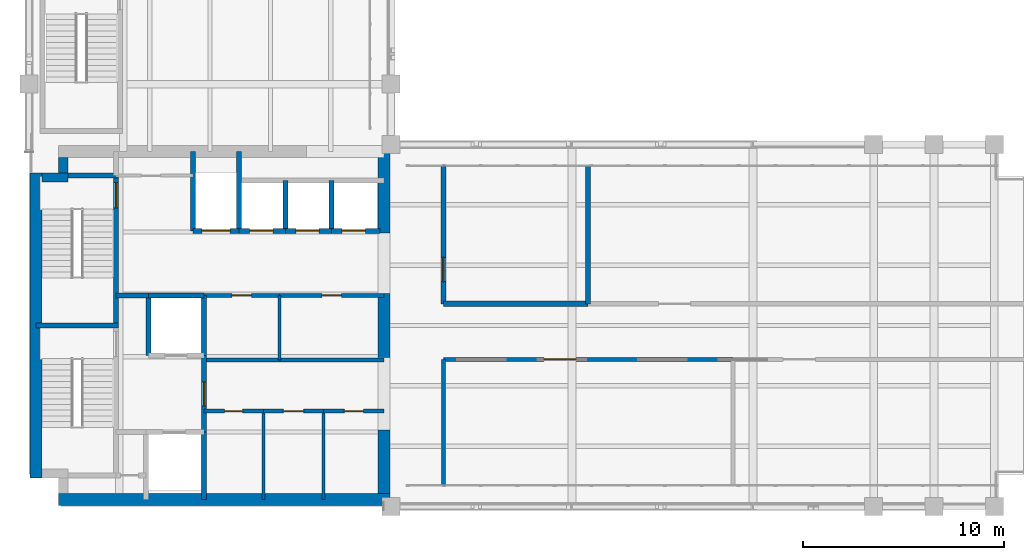
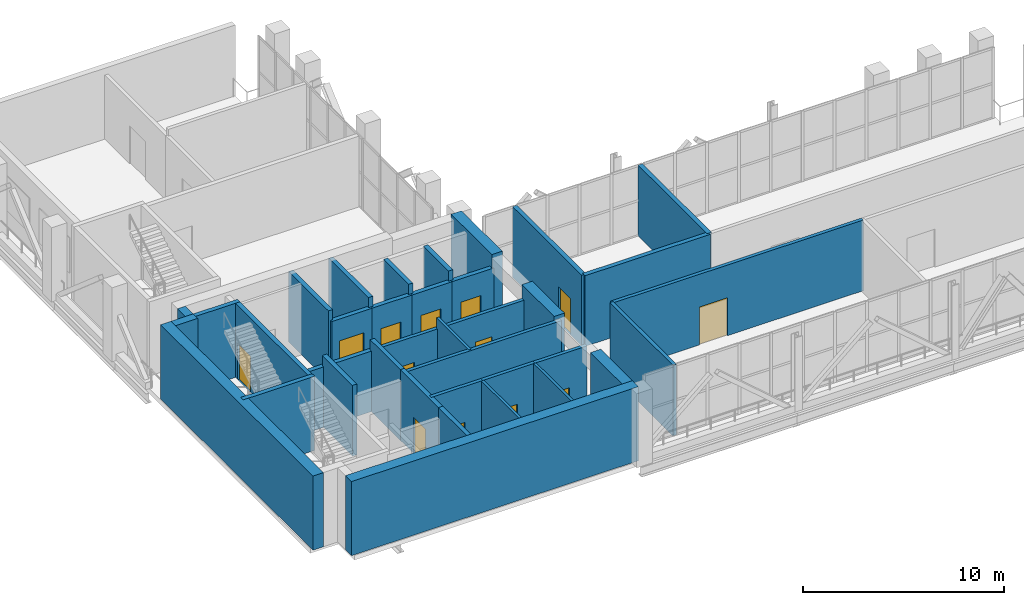
# One storey, part 23 of 26: 38 walls, 13 doors, 13 openings.
"""IFC4 building model written with IfcOpenShell, lengths in metres."""

from ifc_helpers import new_model, si_unit, direction, frame, frame_2d, origin, place, context, subcontext, project, spatial, rectangle, extrude, material, layer, layer_set, type_object, element, fill, save


model = new_model("IFC4")

# Units and contexts
model_context = context("Model", 3, precision=1e-05, world=origin(), true_north=direction((0.0, 1.0)))
body_context = subcontext(model_context, "Body", "Model", "MODEL_VIEW")
ifc_project = project(units=[si_unit("LENGTHUNIT", "METRE"), si_unit("AREAUNIT", "SQUARE_METRE"), si_unit("VOLUMEUNIT", "CUBIC_METRE"), si_unit("PLANEANGLEUNIT", "RADIAN"), si_unit("MASSUNIT", "GRAM", prefix="KILO")], contexts=[model_context])

# Site, building, storey
site_placement = place(None, origin())
site = spatial("IfcSite", under=ifc_project, at=site_placement, CompositionType="ELEMENT")
building_placement = place(site_placement, origin())
building = spatial("IfcBuilding", under=site, at=building_placement, Name="Mawjdan Bourse Tower", CompositionType="ELEMENT")
storey_placement = place(building_placement, frame((0.0, 0.0, 226.800048828125)))
storey = spatial("IfcBuildingStorey", under=building, at=storey_placement, Name="L55", CompositionType="ELEMENT", Elevation=226.800048828125)

# Wall, opening, door
ifc_material_1 = material(Name="Gypsum Fireboard Assembly")
ifc_layer_1 = layer(ifc_material_1, 0.199951171875)
ifc_layer_set_1 = layer_set([ifc_layer_1], Name="Gypsum Fireboard Assembly")
wall_type_1 = type_object("IfcWallType", Name="WL-CMP-200", PredefinedType="PARTITIONING", material=ifc_layer_set_1)
wall_1_placement = place(storey_placement, frame((14.699951171875, 7.739990234375, 0.0), z_axis=(0.0, 0.0, 1.0), x_axis=(1.0, 0.0, 0.0)))
wall_1 = element("IfcWall", 1, at=wall_1_placement, inside=storey, type_object=wall_type_1, Name="L55 IT & Telemetry Room North Wall", PredefinedType="PARTITIONING", context=body_context, shape_type="SweptSolid", body=[
    extrude(rectangle(XDim=2.949951171875, YDim=0.199951171875, at=frame_2d((1.47509765625, 0.0))), origin(), (0.0, 0.0, 1.0), 4.2900390625),
])
opening_1_placement = place(wall_1_placement, frame((1.02490234375, 0.0, 0.0)))
opening_1 = element("IfcOpeningElement", 2, at=opening_1_placement, cuts=wall_1, Name="Opening D-L55-13", PredefinedType="OPENING", context=body_context, shape_type="SweptSolid", body=[
    extrude(rectangle(XDim=0.89990234375, YDim=2.10009765625, at=frame_2d((0.449951171875, 1.050048828125))), frame((0.0, 0.10986328125, 0.0), z_axis=(0.0, -1.0, 0.0), x_axis=(1.0, 0.0, 0.0)), (0.0, 0.0, 1.0), 0.219970703125),
])
ifc_material_2 = material(Name="Fire-Rated Steel Access Leaf", Category="steel")
door_type_1 = type_object("IfcDoorType", Name="FD-RSR-0900", OperationType="NOTDEFINED", PredefinedType="TRAPDOOR", material=ifc_material_2)
door_1_placement = place(opening_1_placement, origin())
door_1 = element("IfcDoor", 3, at=door_1_placement, inside=storey, type_object=door_type_1, Name="L55 IT & Telemetry Room Door D-L55-13", OperationType="SINGLE_SWING_RIGHT", OverallHeight=2.10009765625, OverallWidth=0.89990234375, PredefinedType="TRAPDOOR", context=body_context, shape_type="SweptSolid", body=[
    extrude(rectangle(XDim=0.89990234375, YDim=2.10009765625, at=frame_2d((0.449951171875, 1.050048828125))), frame((0.0, 0.02490234375, 0.0), z_axis=(0.0, -1.0, 0.0), x_axis=(1.0, 0.0, 0.0)), (0.0, 0.0, 1.0), 0.050048828125),
])
fill(opening_1, door_1)

wall_2_placement = place(storey_placement, frame((17.64990234375, 7.739990234375, 0.0), z_axis=(0.0, 0.0, 1.0), x_axis=(1.0, 0.0, 0.0)))
wall_2 = element("IfcWall", 4, at=wall_2_placement, inside=storey, type_object=wall_type_1, Name="L55 Mail & Courier Office North Wall", PredefinedType="PARTITIONING", context=body_context, shape_type="SweptSolid", body=[
    extrude(rectangle(XDim=3.0, YDim=0.199951171875, at=frame_2d((1.5, 0.0))), origin(), (0.0, 0.0, 1.0), 4.2900390625),
])
opening_2_placement = place(wall_2_placement, frame((1.0, 0.0, 0.0)))
opening_2 = element("IfcOpeningElement", 5, at=opening_2_placement, cuts=wall_2, Name="Opening D-L55-14", PredefinedType="OPENING", context=body_context, shape_type="SweptSolid", body=[
    extrude(rectangle(XDim=1.0, YDim=2.14990234375, at=frame_2d((0.5, 1.074951171875))), frame((0.0, 0.10986328125, 0.0), z_axis=(0.0, -1.0, 0.0), x_axis=(1.0, 0.0, 0.0)), (0.0, 0.0, 1.0), 0.219970703125),
])
ifc_material_3 = material(Name="Hardwood Acoustic Leaf", Category="wood")
door_type_2 = type_object("IfcDoorType", Name="DR-OFC-1000", OperationType="NOTDEFINED", PredefinedType="DOOR", material=ifc_material_3)
door_2_placement = place(opening_2_placement, origin())
door_2 = element("IfcDoor", 6, at=door_2_placement, inside=storey, type_object=door_type_2, Name="L55 Mail & Courier Office Door D-L55-14", OperationType="SINGLE_SWING_LEFT", OverallHeight=2.14990234375, OverallWidth=1.0, PredefinedType="DOOR", context=body_context, shape_type="SweptSolid", body=[
    extrude(rectangle(XDim=1.0, YDim=2.14990234375, at=frame_2d((0.5, 1.074951171875))), frame((0.0, 0.02490234375, 0.0), z_axis=(0.0, -1.0, 0.0), x_axis=(1.0, 0.0, 0.0)), (0.0, 0.0, 1.0), 0.050048828125),
])
fill(opening_2, door_2)

wall_3_placement = place(storey_placement, frame((20.64990234375, 7.739990234375, 0.0), z_axis=(0.0, 0.0, 1.0), x_axis=(1.0, 0.0, 0.0)))
wall_3 = element("IfcWall", 7, at=wall_3_placement, inside=storey, type_object=wall_type_1, Name="L55 Staff Refreshment Pantry North Wall", PredefinedType="PARTITIONING", context=body_context, shape_type="SweptSolid", body=[
    extrude(rectangle(XDim=3.0, YDim=0.199951171875, at=frame_2d((1.5, 0.0))), origin(), (0.0, 0.0, 1.0), 4.2900390625),
])
opening_3_placement = place(wall_3_placement, frame((1.02490234375, 0.0, 0.0)))
opening_3 = element("IfcOpeningElement", 8, at=opening_3_placement, cuts=wall_3, Name="Opening D-L55-15", PredefinedType="OPENING", context=body_context, shape_type="SweptSolid", body=[
    extrude(rectangle(XDim=0.949951171875, YDim=2.10009765625, at=frame_2d((0.47509765625, 1.050048828125))), frame((0.0, 0.10986328125, 0.0), z_axis=(0.0, -1.0, 0.0), x_axis=(1.0, 0.0, 0.0)), (0.0, 0.0, 1.0), 0.219970703125),
])
ifc_material_4 = material(Name="Moisture-Resistant Laminate Timber", Category="wood")
door_type_3 = type_object("IfcDoorType", Name="DR-WET-0950", OperationType="NOTDEFINED", PredefinedType="DOOR", material=ifc_material_4)
door_3_placement = place(opening_3_placement, origin())
door_3 = element("IfcDoor", 9, at=door_3_placement, inside=storey, type_object=door_type_3, Name="L55 Staff Refreshment Pantry Door D-L55-15", OperationType="SINGLE_SWING_RIGHT", OverallHeight=2.10009765625, OverallWidth=0.949951171875, PredefinedType="DOOR", context=body_context, shape_type="SweptSolid", body=[
    extrude(rectangle(XDim=0.949951171875, YDim=2.10009765625, at=frame_2d((0.47509765625, 1.050048828125))), frame((0.0, 0.02490234375, 0.0), z_axis=(0.0, -1.0, 0.0), x_axis=(1.0, 0.0, 0.0)), (0.0, 0.0, 1.0), 0.050048828125),
])
fill(opening_3, door_3)

# Wall
wall_4_placement = place(storey_placement, frame((14.824951171875, 10.280029296875, 0.0), z_axis=(0.0, 0.0, 1.0), x_axis=(1.0, 0.0, 0.0)))
element("IfcWall", 10, at=wall_4_placement, inside=storey, type_object=wall_type_1, Name="L55 Core Restroom Suite South Wall", PredefinedType="PARTITIONING", context=body_context, shape_type="SweptSolid", body=[
    extrude(rectangle(XDim=8.824951171875, YDim=0.199951171875, at=frame_2d((4.41259765625, 0.0))), origin(), (0.0, 0.0, 1.0), 4.2900390625),
])

# Wall, opening, door
wall_5_placement = place(storey_placement, frame((14.699951171875, 13.5, 0.0), z_axis=(0.0, 0.0, 1.0), x_axis=(1.0, 0.0, 0.0)))
wall_5 = element("IfcWall", 11, at=wall_5_placement, inside=storey, type_object=wall_type_1, Name="L55 Female Restroom North Wall", PredefinedType="PARTITIONING", context=body_context, shape_type="SweptSolid", body=[
    extrude(rectangle(XDim=3.75, YDim=0.199951171875, at=frame_2d((1.875, 0.0))), origin(), (0.0, 0.0, 1.0), 3.6728515625),
])
opening_4_placement = place(wall_5_placement, frame((1.39990234375, 0.0, 0.0)))
opening_4 = element("IfcOpeningElement", 12, at=opening_4_placement, cuts=wall_5, Name="Opening D-L55-16", PredefinedType="OPENING", context=body_context, shape_type="SweptSolid", body=[
    extrude(rectangle(XDim=0.949951171875, YDim=2.10009765625, at=frame_2d((0.47509765625, 1.050048828125))), frame((0.0, 0.10986328125, 0.0), z_axis=(0.0, -1.0, 0.0), x_axis=(1.0, 0.0, 0.0)), (0.0, 0.0, 1.0), 0.219970703125),
])
door_4_placement = place(opening_4_placement, origin())
door_4 = element("IfcDoor", 13, at=door_4_placement, inside=storey, type_object=door_type_3, Name="L55 Female Restroom Door D-L55-16", OperationType="SINGLE_SWING_LEFT", OverallHeight=2.10009765625, OverallWidth=0.949951171875, PredefinedType="DOOR", context=body_context, shape_type="SweptSolid", body=[
    extrude(rectangle(XDim=0.949951171875, YDim=2.10009765625, at=frame_2d((0.47509765625, 1.050048828125))), frame((0.0, 0.02490234375, 0.0), z_axis=(0.0, -1.0, 0.0), x_axis=(1.0, 0.0, 0.0)), (0.0, 0.0, 1.0), 0.050048828125),
])
fill(opening_4, door_4)

wall_6_placement = place(storey_placement, frame((18.449951171875, 13.5, 0.0), z_axis=(0.0, 0.0, 1.0), x_axis=(1.0, 0.0, 0.0)))
wall_6 = element("IfcWall", 14, at=wall_6_placement, inside=storey, type_object=wall_type_1, Name="L55 Accessible WC North Wall", PredefinedType="PARTITIONING", context=body_context, shape_type="SweptSolid", body=[
    extrude(rectangle(XDim=5.199951171875, YDim=0.199951171875, at=frame_2d((2.60009765625, 0.0))), origin(), (0.0, 0.0, 1.0), 3.6728515625),
])
opening_5_placement = place(wall_6_placement, frame((2.125, 0.0, 0.0)))
opening_5 = element("IfcOpeningElement", 15, at=opening_5_placement, cuts=wall_6, Name="Opening D-L55-17", PredefinedType="OPENING", context=body_context, shape_type="SweptSolid", body=[
    extrude(rectangle(XDim=0.949951171875, YDim=2.10009765625, at=frame_2d((0.47509765625, 1.050048828125))), frame((0.0, 0.10986328125, 0.0), z_axis=(0.0, -1.0, 0.0), x_axis=(1.0, 0.0, 0.0)), (0.0, 0.0, 1.0), 0.219970703125),
])
door_5_placement = place(opening_5_placement, origin())
door_5 = element("IfcDoor", 16, at=door_5_placement, inside=storey, type_object=door_type_3, Name="L55 Accessible WC Door D-L55-17", OperationType="SINGLE_SWING_RIGHT", OverallHeight=2.10009765625, OverallWidth=0.949951171875, PredefinedType="DOOR", context=body_context, shape_type="SweptSolid", body=[
    extrude(rectangle(XDim=0.949951171875, YDim=2.10009765625, at=frame_2d((0.47509765625, 1.050048828125))), frame((0.0, 0.02490234375, 0.0), z_axis=(0.0, -1.0, 0.0), x_axis=(1.0, 0.0, 0.0)), (0.0, 0.0, 1.0), 0.050048828125),
])
fill(opening_5, door_5)

# Wall
wall_7_placement = place(storey_placement, frame((26.60009765625, 4.050048828125, 0.0), z_axis=(0.0, 0.0, 1.0), x_axis=(0.0, 1.0, 0.0)))
element("IfcWall", 17, at=wall_7_placement, inside=storey, type_object=wall_type_1, Name="L55 AHU West Vestibule Wall", PredefinedType="PARTITIONING", context=body_context, shape_type="SweptSolid", body=[
    extrude(rectangle(XDim=6.27001953125, YDim=0.199951171875, at=frame_2d((3.135009765625, 0.0))), origin(), (0.0, 0.0, 1.0), 4.2900390625),
])

# Wall, opening, door
wall_8_placement = place(storey_placement, frame((26.60009765625, 10.320068359375, 0.0), z_axis=(0.0, 0.0, 1.0), x_axis=(1.0, 0.0, 0.0)))
wall_8 = element("IfcWall", 18, at=wall_8_placement, inside=storey, type_object=wall_type_1, Name="L55 AHU Plant North Wall", PredefinedType="PARTITIONING", context=body_context, shape_type="SweptSolid", body=[
    extrude(rectangle(XDim=14.39990234375, YDim=0.199951171875, at=frame_2d((7.199951171875, 0.0))), origin(), (0.0, 0.0, 1.0), 4.2900390625),
])
opening_6_placement = place(wall_8_placement, frame((5.0, 0.0, 0.0)))
opening_6 = element("IfcOpeningElement", 19, at=opening_6_placement, cuts=wall_8, Name="Opening PD-L55-23", PredefinedType="OPENING", context=body_context, shape_type="SweptSolid", body=[
    extrude(rectangle(XDim=1.60009765625, YDim=2.300048828125, at=frame_2d((0.800048828125, 1.14990234375))), frame((0.0, 0.10986328125, 0.0), z_axis=(0.0, -1.0, 0.0), x_axis=(1.0, 0.0, 0.0)), (0.0, 0.0, 1.0), 0.219970703125),
])
ifc_material_5 = material(Name="Fire-Rated Acoustic Steel", Category="steel")
door_type_4 = type_object("IfcDoorType", Name="FD-PLT-1600", OperationType="DOUBLE_DOOR_SINGLE_SWING", PredefinedType="DOOR", material=ifc_material_5)
door_6_placement = place(opening_6_placement, origin())
door_6 = element("IfcDoor", 20, at=door_6_placement, inside=storey, type_object=door_type_4, Name="L55 AHU Plant Door PD-L55-23", OperationType="DOUBLE_DOOR_SINGLE_SWING", OverallHeight=2.300048828125, OverallWidth=1.60009765625, PredefinedType="DOOR", context=body_context, shape_type="SweptSolid", body=[
    extrude(rectangle(XDim=1.60009765625, YDim=2.300048828125, at=frame_2d((0.800048828125, 1.14990234375))), frame((0.0, 0.02490234375, 0.0), z_axis=(0.0, -1.0, 0.0), x_axis=(1.0, 0.0, 0.0)), (0.0, 0.0, 1.0), 0.050048828125),
])
fill(opening_6, door_6)

# Walls
ifc_material_6 = material(Name="Concrete C60/75", Category="concrete")
ifc_layer_2 = layer(ifc_material_6, 0.449951171875)
ifc_layer_set_2 = layer_set([ifc_layer_2], Name="Concrete C60/75")
wall_type_2 = type_object("IfcWallType", Name="WL-CORE-450", PredefinedType="SHEAR", material=ifc_layer_set_2)
wall_9_placement = place(storey_placement, frame((6.64990234375, 19.35009765625, 0.0), z_axis=(0.0, 0.0, 1.0), x_axis=(1.0, 0.0, 0.0)))
element("IfcWall", 21, at=wall_9_placement, inside=storey, type_object=wall_type_2, Name="L55 Rear Core Shear Wall NW-X", PredefinedType="SHEAR", context=body_context, shape_type="SweptSolid", body=[
    extrude(rectangle(XDim=1.275146484375, YDim=0.449951171875, at=frame_2d((0.6376953125, 0.0))), origin(), (0.0, 0.0, 1.0), 4.5),
])
wall_10_placement = place(storey_placement, frame((7.699951171875, 19.574951171875, 0.0), z_axis=(0.0, 0.0, 1.0), x_axis=(0.0, 1.0, 0.0)))
element("IfcWall", 22, at=wall_10_placement, inside=storey, type_object=wall_type_2, Name="L55 Rear Core Shear Wall NW-Y", PredefinedType="SHEAR", context=body_context, shape_type="SweptSolid", body=[
    extrude(rectangle(XDim=0.775146484375, YDim=0.449951171875, at=frame_2d((0.3876953125, 0.0))), origin(), (0.0, 0.0, 1.0), 4.5),
])
ifc_material_7 = material(Name="Concrete C70/85", Category="concrete")
ifc_layer_3 = layer(ifc_material_7, 0.60009765625)
ifc_layer_set_3 = layer_set([ifc_layer_3], Name="Concrete C70/85")
wall_type_3 = type_object("IfcWallType", Name="WL-CORE-600", PredefinedType="SHEAR", material=ifc_layer_set_3)
wall_11_placement = place(storey_placement, frame((7.47509765625, 3.35009765625, 0.0), z_axis=(0.0, 0.0, 1.0), x_axis=(1.0, 0.0, 0.0)))
element("IfcWall", 23, at=wall_11_placement, inside=storey, type_object=wall_type_3, Name="L55 Rear Core Shear Wall S", PredefinedType="SHEAR", context=body_context, shape_type="SweptSolid", body=[
    extrude(rectangle(XDim=16.474853515625, YDim=0.60009765625, at=frame_2d((8.2373046875, 0.0))), origin(), (0.0, 0.0, 1.0), 4.5),
])
wall_12_placement = place(storey_placement, frame((6.35009765625, 4.425048828125, 0.0), z_axis=(0.0, 0.0, 1.0), x_axis=(0.0, 1.0, 0.0)))
element("IfcWall", 24, at=wall_12_placement, inside=storey, type_object=wall_type_3, Name="L55 Rear Core Shear Wall W", PredefinedType="SHEAR", context=body_context, shape_type="SweptSolid", body=[
    extrude(rectangle(XDim=15.14990234375, YDim=0.60009765625, at=frame_2d((7.574951171875, 0.0))), origin(), (0.0, 0.0, 1.0), 4.5),
])
wall_13_placement = place(storey_placement, frame((23.64990234375, 3.64990234375, 0.0), z_axis=(0.0, 0.0, 1.0), x_axis=(0.0, 1.0, 0.0)))
element("IfcWall", 25, at=wall_13_placement, inside=storey, type_object=wall_type_3, Name="L55 Rear Core Shear Wall E1", PredefinedType="SHEAR", context=body_context, shape_type="SweptSolid", body=[
    extrude(rectangle(XDim=3.150146484375, YDim=0.60009765625, at=frame_2d((1.5751953125, 0.0))), origin(), (0.0, 0.0, 1.0), 4.5),
])
wall_14_placement = place(storey_placement, frame((23.64990234375, 10.39990234375, 0.0), z_axis=(0.0, 0.0, 1.0), x_axis=(0.0, 1.0, 0.0)))
element("IfcWall", 26, at=wall_14_placement, inside=storey, type_object=wall_type_3, Name="L55 Rear Core Shear Wall E2", PredefinedType="SHEAR", context=body_context, shape_type="SweptSolid", body=[
    extrude(rectangle(XDim=3.2001953125, YDim=0.60009765625, at=frame_2d((1.60009765625, 0.0))), origin(), (0.0, 0.0, 1.0), 4.5),
])
wall_15_placement = place(storey_placement, frame((23.64990234375, 16.60009765625, 0.0), z_axis=(0.0, 0.0, 1.0), x_axis=(0.0, 1.0, 0.0)))
element("IfcWall", 27, at=wall_15_placement, inside=storey, type_object=wall_type_3, Name="L55 Rear Core Shear Wall E3", PredefinedType="SHEAR", context=body_context, shape_type="SweptSolid", body=[
    extrude(rectangle(XDim=4.0498046875, YDim=0.60009765625, at=frame_2d((2.02490234375, 0.0))), origin(), (0.0, 0.0, 1.0), 4.5),
])
ifc_material_8 = material(Name="Gypsum Acoustic Partition")
ifc_layer_4 = layer(ifc_material_8, 0.14990234375)
ifc_layer_set_4 = layer_set([ifc_layer_4], Name="Gypsum Acoustic Partition")
wall_type_4 = type_object("IfcWallType", Name="WL-PRT-150", PredefinedType="PARTITIONING", material=ifc_layer_set_4)
for number, where, z_axis, x_axis, name in (
    (28, (17.64990234375, 3.35009765625, 0.0), (0.0, 0.0, 1.0), (0.0, 1.0, 0.0), "L55 Mail & Courier Office Core Split Wall"),
    (29, (20.64990234375, 3.35009765625, 0.0), (0.0, 0.0, 1.0), (0.0, 1.0, 0.0), "L55 Staff Refreshment Pantry Core Split Wall"),
):
    element("IfcWall", number, at=place(storey_placement, frame(where, z_axis=z_axis, x_axis=x_axis)), inside=storey, type_object=wall_type_4, Name=name, PredefinedType="PARTITIONING", context=body_context, shape_type="SweptSolid", body=[
        extrude(rectangle(XDim=4.389892578125, YDim=0.14990234375, at=frame_2d((2.19482421875, 0.0))), origin(), (0.0, 0.0, 1.0), 4.2900390625),
    ])
wall_16_placement = place(storey_placement, frame((18.449951171875, 10.280029296875, 0.0), z_axis=(0.0, 0.0, 1.0), x_axis=(0.0, 1.0, 0.0)))
element("IfcWall", 30, at=wall_16_placement, inside=storey, type_object=wall_type_4, Name="L55 Accessible WC Split Wall", PredefinedType="PARTITIONING", context=body_context, shape_type="SweptSolid", body=[
    extrude(rectangle(XDim=3.219970703125, YDim=0.14990234375, at=frame_2d((1.60986328125, 0.0))), origin(), (0.0, 0.0, 1.0), 4.2900390625),
])
ifc_material_9 = material(Name="Concrete C50/60", Category="concrete")
ifc_layer_5 = layer(ifc_material_9, 0.25)
ifc_layer_set_5 = layer_set([ifc_layer_5], Name="Concrete C50/60")
wall_type_5 = type_object("IfcWallType", Name="WL-SHFT-250", PredefinedType="PARTITIONING", material=ifc_layer_set_5)
wall_17_placement = place(storey_placement, frame((14.699951171875, 3.35009765625, 0.0), z_axis=(0.0, 0.0, 1.0), x_axis=(0.0, 1.0, 0.0)))
element("IfcWall", 31, at=wall_17_placement, inside=storey, type_object=wall_type_5, Name="L55 FFL-01 East Shaft Wall", PredefinedType="PARTITIONING", context=body_context, shape_type="SweptSolid", body=[
    extrude(rectangle(XDim=3.349853515625, YDim=0.25, at=frame_2d((1.6748046875, 0.0))), origin(), (0.0, 0.0, 1.0), 4.2900390625),
])
wall_18_placement = place(storey_placement, frame((11.949951171875, 10.5, 0.0), z_axis=(0.0, 0.0, 1.0), x_axis=(0.0, 1.0, 0.0)))
element("IfcWall", 32, at=wall_18_placement, inside=storey, type_object=wall_type_5, Name="L55 FFL-02 West Shaft Wall", PredefinedType="PARTITIONING", context=body_context, shape_type="SweptSolid", body=[
    extrude(rectangle(XDim=3.0, YDim=0.25, at=frame_2d((1.5, 0.0))), origin(), (0.0, 0.0, 1.0), 4.2900390625),
])
wall_19_placement = place(storey_placement, frame((11.949951171875, 13.5, 0.0), z_axis=(0.0, 0.0, 1.0), x_axis=(1.0, 0.0, 0.0)))
element("IfcWall", 33, at=wall_19_placement, inside=storey, type_object=wall_type_5, Name="L55 FFL-02 North Shaft Wall", PredefinedType="PARTITIONING", context=body_context, shape_type="SweptSolid", body=[
    extrude(rectangle(XDim=2.75, YDim=0.25, at=frame_2d((1.375, 0.0))), origin(), (0.0, 0.0, 1.0), 3.6728515625),
])
wall_20_placement = place(storey_placement, frame((14.699951171875, 10.5, 0.0), z_axis=(0.0, 0.0, 1.0), x_axis=(0.0, 1.0, 0.0)))
element("IfcWall", 34, at=wall_20_placement, inside=storey, type_object=wall_type_5, Name="L55 FFL-02 East Shaft Wall", PredefinedType="PARTITIONING", context=body_context, shape_type="SweptSolid", body=[
    extrude(rectangle(XDim=3.0, YDim=0.25, at=frame_2d((1.5, 0.0))), origin(), (0.0, 0.0, 1.0), 4.2900390625),
])

# Wall, opening, door
wall_21_placement = place(storey_placement, frame((14.699951171875, 6.699951171875, 0.0), z_axis=(0.0, 0.0, 1.0), x_axis=(0.0, 1.0, 0.0)))
wall_21 = element("IfcWall", 35, at=wall_21_placement, inside=storey, type_object=wall_type_5, Name="L55 Firefighting Lobby East Compartment Wall", PredefinedType="PARTITIONING", context=body_context, shape_type="SweptSolid", body=[
    extrude(rectangle(XDim=3.800048828125, YDim=0.25, at=frame_2d((1.89990234375, 0.0))), origin(), (0.0, 0.0, 1.0), 4.2900390625),
])
opening_7_placement = place(wall_21_placement, frame((1.300048828125, 0.0, 0.0)))
opening_7 = element("IfcOpeningElement", 36, at=opening_7_placement, cuts=wall_21, Name="Opening FD-L55-07", PredefinedType="OPENING", context=body_context, shape_type="SweptSolid", body=[
    extrude(rectangle(XDim=1.199951171875, YDim=2.199951171875, at=frame_2d((0.60009765625, 1.10009765625))), frame((0.0, 0.135009765625, 0.0), z_axis=(0.0, -1.0, 0.0), x_axis=(1.0, 0.0, 0.0)), (0.0, 0.0, 1.0), 0.27001953125),
])
ifc_material_10 = material(Name="Fire-Rated Steel Leaf", Category="steel")
door_type_5 = type_object("IfcDoorType", Name="FD-FFL-1200", OperationType="NOTDEFINED", PredefinedType="DOOR", material=ifc_material_10)
door_7_placement = place(opening_7_placement, origin())
door_7 = element("IfcDoor", 37, at=door_7_placement, inside=storey, type_object=door_type_5, Name="L55 Firefighting Lobby East Smoke Door FD-L55-07", OperationType="SINGLE_SWING_RIGHT", OverallHeight=2.199951171875, OverallWidth=1.199951171875, PredefinedType="DOOR", context=body_context, shape_type="SweptSolid", body=[
    extrude(rectangle(XDim=1.199951171875, YDim=2.199951171875, at=frame_2d((0.60009765625, 1.10009765625))), frame((0.0, 0.02490234375, 0.0), z_axis=(0.0, -1.0, 0.0), x_axis=(1.0, 0.0, 0.0)), (0.0, 0.0, 1.0), 0.050048828125),
])
fill(opening_7, door_7)

# Wall
wall_22_placement = place(storey_placement, frame((10.330078125, 13.5, 0.0), z_axis=(0.0, 0.0, 1.0), x_axis=(1.0, 0.0, 0.0)))
element("IfcWall", 38, at=wall_22_placement, inside=storey, type_object=wall_type_5, Name="L55 Firefighting Lobby North Compartment Wall", PredefinedType="PARTITIONING", context=body_context, shape_type="SweptSolid", body=[
    extrude(rectangle(XDim=1.619873046875, YDim=0.25, at=frame_2d((0.81005859375, 0.0))), origin(), (0.0, 0.0, 1.0), 3.6728515625),
])

# Wall, opening, door
wall_23_placement = place(storey_placement, frame((14.14990234375, 16.699951171875, 0.0), z_axis=(0.0, 0.0, 1.0), x_axis=(1.0, 0.0, 0.0)))
wall_23 = element("IfcWall", 39, at=wall_23_placement, inside=storey, type_object=wall_type_5, Name="L55 SVL-01 Front Shaft Wall", PredefinedType="PARTITIONING", context=body_context, shape_type="SweptSolid", body=[
    extrude(rectangle(XDim=2.300048828125, YDim=0.25, at=frame_2d((1.14990234375, 0.0))), origin(), (0.0, 0.0, 1.0), 3.6728515625),
])
opening_8_placement = place(wall_23_placement, frame((0.449951171875, 0.0, 0.0)))
opening_8 = element("IfcOpeningElement", 40, at=opening_8_placement, cuts=wall_23, Name="Opening LD-L55-09", PredefinedType="OPENING", context=body_context, shape_type="SweptSolid", body=[
    extrude(rectangle(XDim=1.39990234375, YDim=2.35009765625, at=frame_2d((0.699951171875, 1.175048828125))), frame((0.0, 0.135009765625, 0.0), z_axis=(0.0, -1.0, 0.0), x_axis=(1.0, 0.0, 0.0)), (0.0, 0.0, 1.0), 0.27001953125),
])
ifc_material_11 = material(Name="Heavy-Duty Stainless Steel", Category="steel")
door_type_6 = type_object("IfcDoorType", Name="LD-SRV-1400", OperationType="DOUBLE_DOOR_SLIDING", PredefinedType="DOOR", material=ifc_material_11)
door_8_placement = place(opening_8_placement, origin())
door_8 = element("IfcDoor", 41, at=door_8_placement, inside=storey, type_object=door_type_6, Name="L55 Service Lift SVL-01 Landing Door LD-L55-09", OperationType="DOUBLE_DOOR_SLIDING", OverallHeight=2.35009765625, OverallWidth=1.39990234375, PredefinedType="DOOR", context=body_context, shape_type="SweptSolid", body=[
    extrude(rectangle(XDim=1.39990234375, YDim=2.35009765625, at=frame_2d((0.699951171875, 1.175048828125))), frame((0.0, 0.02490234375, 0.0), z_axis=(0.0, -1.0, 0.0), x_axis=(1.0, 0.0, 0.0)), (0.0, 0.0, 1.0), 0.050048828125),
])
fill(opening_8, door_8)

# Walls
for number, where, z_axis, x_axis, name in (
    (42, (14.14990234375, 16.699951171875, 0.0), (0.0, 0.0, 1.0), (0.0, 1.0, 0.0), "L55 SVL-01 West Shaft Wall"),
    (43, (16.449951171875, 16.699951171875, 0.0), (0.0, 0.0, 1.0), (0.0, 1.0, 0.0), "L55 SVL-01 East Shaft Wall"),
):
    element("IfcWall", number, at=place(storey_placement, frame(where, z_axis=z_axis, x_axis=x_axis)), inside=storey, type_object=wall_type_5, Name=name, PredefinedType="PARTITIONING", context=body_context, shape_type="SweptSolid", body=[
        extrude(rectangle(XDim=3.949951171875, YDim=0.25, at=frame_2d((1.97509765625, 0.0))), origin(), (0.0, 0.0, 1.0), 4.2900390625),
    ])

# Wall, opening, door
wall_24_placement = place(storey_placement, frame((16.449951171875, 16.699951171875, 0.0), z_axis=(0.0, 0.0, 1.0), x_axis=(1.0, 0.0, 0.0)))
wall_24 = element("IfcWall", 44, at=wall_24_placement, inside=storey, type_object=wall_type_5, Name="L55 PH-01 Front Wall", PredefinedType="PARTITIONING", context=body_context, shape_type="SweptSolid", body=[
    extrude(rectangle(XDim=2.300048828125, YDim=0.25, at=frame_2d((1.14990234375, 0.0))), origin(), (0.0, 0.0, 1.0), 3.6728515625),
])
opening_9_placement = place(wall_24_placement, frame((0.52001953125, 0.0, 0.0)))
opening_9 = element("IfcOpeningElement", 45, at=opening_9_placement, cuts=wall_24, Name="Opening LD-L55-10", PredefinedType="OPENING", context=body_context, shape_type="SweptSolid", body=[
    extrude(rectangle(XDim=1.14990234375, YDim=2.25, at=frame_2d((0.574951171875, 1.125))), frame((0.0, 0.135009765625, 0.0), z_axis=(0.0, -1.0, 0.0), x_axis=(1.0, 0.0, 0.0)), (0.0, 0.0, 1.0), 0.27001953125),
])
ifc_material_12 = material(Name="Brushed Stainless Steel", Category="steel")
door_type_7 = type_object("IfcDoorType", Name="LD-PAS-1150", OperationType="DOUBLE_DOOR_SLIDING", PredefinedType="DOOR", material=ifc_material_12)
door_9_placement = place(opening_9_placement, origin())
door_9 = element("IfcDoor", 46, at=door_9_placement, inside=storey, type_object=door_type_7, Name="L55 Lift PH-01 Landing Door LD-L55-10", OperationType="DOUBLE_DOOR_SLIDING", OverallHeight=2.25, OverallWidth=1.14990234375, PredefinedType="DOOR", context=body_context, shape_type="SweptSolid", body=[
    extrude(rectangle(XDim=1.14990234375, YDim=2.25, at=frame_2d((0.574951171875, 1.125))), frame((0.0, 0.02490234375, 0.0), z_axis=(0.0, -1.0, 0.0), x_axis=(1.0, 0.0, 0.0)), (0.0, 0.0, 1.0), 0.050048828125),
])
fill(opening_9, door_9)

# Wall
wall_25_placement = place(storey_placement, frame((18.75, 16.699951171875, 0.0), z_axis=(0.0, 0.0, 1.0), x_axis=(0.0, 1.0, 0.0)))
element("IfcWall", 47, at=wall_25_placement, inside=storey, type_object=wall_type_5, Name="L55 PH-01 Divider Wall", PredefinedType="PARTITIONING", context=body_context, shape_type="SweptSolid", body=[
    extrude(rectangle(XDim=2.5, YDim=0.25, at=frame_2d((1.25, 0.0))), origin(), (0.0, 0.0, 1.0), 4.2900390625),
])

# Wall, opening, door
wall_26_placement = place(storey_placement, frame((18.75, 16.699951171875, 0.0), z_axis=(0.0, 0.0, 1.0), x_axis=(1.0, 0.0, 0.0)))
wall_26 = element("IfcWall", 48, at=wall_26_placement, inside=storey, type_object=wall_type_5, Name="L55 PH-02 Front Wall", PredefinedType="PARTITIONING", context=body_context, shape_type="SweptSolid", body=[
    extrude(rectangle(XDim=2.300048828125, YDim=0.25, at=frame_2d((1.14990234375, 0.0))), origin(), (0.0, 0.0, 1.0), 3.6728515625),
])
opening_10_placement = place(wall_26_placement, frame((0.52001953125, 0.0, 0.0)))
opening_10 = element("IfcOpeningElement", 49, at=opening_10_placement, cuts=wall_26, Name="Opening LD-L55-11", PredefinedType="OPENING", context=body_context, shape_type="SweptSolid", body=[
    extrude(rectangle(XDim=1.14990234375, YDim=2.25, at=frame_2d((0.574951171875, 1.125))), frame((0.0, 0.135009765625, 0.0), z_axis=(0.0, -1.0, 0.0), x_axis=(1.0, 0.0, 0.0)), (0.0, 0.0, 1.0), 0.27001953125),
])
door_10_placement = place(opening_10_placement, origin())
door_10 = element("IfcDoor", 50, at=door_10_placement, inside=storey, type_object=door_type_7, Name="L55 Lift PH-02 Landing Door LD-L55-11", OperationType="DOUBLE_DOOR_SLIDING", OverallHeight=2.25, OverallWidth=1.14990234375, PredefinedType="DOOR", context=body_context, shape_type="SweptSolid", body=[
    extrude(rectangle(XDim=1.14990234375, YDim=2.25, at=frame_2d((0.574951171875, 1.125))), frame((0.0, 0.02490234375, 0.0), z_axis=(0.0, -1.0, 0.0), x_axis=(1.0, 0.0, 0.0)), (0.0, 0.0, 1.0), 0.050048828125),
])
fill(opening_10, door_10)

# Wall
wall_27_placement = place(storey_placement, frame((21.050048828125, 16.699951171875, 0.0), z_axis=(0.0, 0.0, 1.0), x_axis=(0.0, 1.0, 0.0)))
element("IfcWall", 51, at=wall_27_placement, inside=storey, type_object=wall_type_5, Name="L55 PH-02 Divider Wall", PredefinedType="PARTITIONING", context=body_context, shape_type="SweptSolid", body=[
    extrude(rectangle(XDim=2.5, YDim=0.25, at=frame_2d((1.25, 0.0))), origin(), (0.0, 0.0, 1.0), 4.2900390625),
])

# Wall, opening, door
wall_28_placement = place(storey_placement, frame((21.050048828125, 16.699951171875, 0.0), z_axis=(0.0, 0.0, 1.0), x_axis=(1.0, 0.0, 0.0)))
wall_28 = element("IfcWall", 52, at=wall_28_placement, inside=storey, type_object=wall_type_5, Name="L55 PH-03 Front Wall", PredefinedType="PARTITIONING", context=body_context, shape_type="SweptSolid", body=[
    extrude(rectangle(XDim=2.39990234375, YDim=0.25, at=frame_2d((1.199951171875, 0.0))), origin(), (0.0, 0.0, 1.0), 3.6728515625),
])
opening_11_placement = place(wall_28_placement, frame((0.52001953125, 0.0, 0.0)))
opening_11 = element("IfcOpeningElement", 53, at=opening_11_placement, cuts=wall_28, Name="Opening LD-L55-12", PredefinedType="OPENING", context=body_context, shape_type="SweptSolid", body=[
    extrude(rectangle(XDim=1.14990234375, YDim=2.25, at=frame_2d((0.574951171875, 1.125))), frame((0.0, 0.135009765625, 0.0), z_axis=(0.0, -1.0, 0.0), x_axis=(1.0, 0.0, 0.0)), (0.0, 0.0, 1.0), 0.27001953125),
])
door_11_placement = place(opening_11_placement, origin())
door_11 = element("IfcDoor", 54, at=door_11_placement, inside=storey, type_object=door_type_7, Name="L55 Lift PH-03 Landing Door LD-L55-12", OperationType="DOUBLE_DOOR_SLIDING", OverallHeight=2.25, OverallWidth=1.14990234375, PredefinedType="DOOR", context=body_context, shape_type="SweptSolid", body=[
    extrude(rectangle(XDim=1.14990234375, YDim=2.25, at=frame_2d((0.574951171875, 1.125))), frame((0.0, 0.02490234375, 0.0), z_axis=(0.0, -1.0, 0.0), x_axis=(1.0, 0.0, 0.0)), (0.0, 0.0, 1.0), 0.050048828125),
])
fill(opening_11, door_11)

wall_29_placement = place(storey_placement, frame((26.60009765625, 13.080078125, 0.0), z_axis=(0.0, 0.0, 1.0), x_axis=(0.0, 1.0, 0.0)))
wall_29 = element("IfcWall", 55, at=wall_29_placement, inside=storey, type_object=wall_type_5, Name="L55 East Refuge West Lobby Wall", PredefinedType="PARTITIONING", context=body_context, shape_type="SweptSolid", body=[
    extrude(rectangle(XDim=6.869873046875, YDim=0.25, at=frame_2d((3.43505859375, 0.0))), origin(), (0.0, 0.0, 1.0), 4.2900390625),
])
opening_12_placement = place(wall_29_placement, frame((1.10009765625, 0.0, 0.0)))
opening_12 = element("IfcOpeningElement", 56, at=opening_12_placement, cuts=wall_29, Name="Opening FD-L55-25", PredefinedType="OPENING", context=body_context, shape_type="SweptSolid", body=[
    extrude(rectangle(XDim=1.199951171875, YDim=2.199951171875, at=frame_2d((0.60009765625, 1.10009765625))), frame((0.0, 0.135009765625, 0.0), z_axis=(0.0, -1.0, 0.0), x_axis=(1.0, 0.0, 0.0)), (0.0, 0.0, 1.0), 0.27001953125),
])
door_12_placement = place(opening_12_placement, origin())
door_12 = element("IfcDoor", 57, at=door_12_placement, inside=storey, type_object=door_type_5, Name="L55 East Refuge Lobby Door FD-L55-25", OperationType="SINGLE_SWING_RIGHT", OverallHeight=2.199951171875, OverallWidth=1.199951171875, PredefinedType="DOOR", context=body_context, shape_type="SweptSolid", body=[
    extrude(rectangle(XDim=1.199951171875, YDim=2.199951171875, at=frame_2d((0.60009765625, 1.10009765625))), frame((0.0, 0.02490234375, 0.0), z_axis=(0.0, -1.0, 0.0), x_axis=(1.0, 0.0, 0.0)), (0.0, 0.0, 1.0), 0.050048828125),
])
fill(opening_12, door_12)

# Walls
wall_30_placement = place(storey_placement, frame((26.60009765625, 13.080078125, 0.0), z_axis=(0.0, 0.0, 1.0), x_axis=(1.0, 0.0, 0.0)))
element("IfcWall", 58, at=wall_30_placement, inside=storey, type_object=wall_type_5, Name="L55 East Refuge South Firewall", PredefinedType="PARTITIONING", context=body_context, shape_type="SweptSolid", body=[
    extrude(rectangle(XDim=7.199951171875, YDim=0.25, at=frame_2d((3.60009765625, 0.0))), origin(), (0.0, 0.0, 1.0), 4.2900390625),
])
wall_31_placement = place(storey_placement, frame((33.800048828125, 13.080078125, 0.0), z_axis=(0.0, 0.0, 1.0), x_axis=(0.0, 1.0, 0.0)))
element("IfcWall", 59, at=wall_31_placement, inside=storey, type_object=wall_type_5, Name="L55 Switchgear West Firewall", PredefinedType="PARTITIONING", context=body_context, shape_type="SweptSolid", body=[
    extrude(rectangle(XDim=6.869873046875, YDim=0.25, at=frame_2d((3.43505859375, 0.0))), origin(), (0.0, 0.0, 1.0), 4.2900390625),
])
ifc_layer_6 = layer(ifc_material_9, 0.25)
ifc_layer_set_6 = layer_set([ifc_layer_6], Name="Concrete C50/60")
wall_type_6 = type_object("IfcWallType", Name="WL-STRW-250", PredefinedType="SHEAR", material=ifc_layer_set_6)
wall_32_placement = place(storey_placement, frame((6.35009765625, 12.0, 0.0), z_axis=(0.0, 0.0, 1.0), x_axis=(1.0, 0.0, 0.0)))
element("IfcWall", 60, at=wall_32_placement, inside=storey, type_object=wall_type_6, Name="L55 Stairwell Dividing Shaft Wall", PredefinedType="SHEAR", context=body_context, shape_type="SweptSolid", body=[
    extrude(rectangle(XDim=4.10498046875, YDim=0.25, at=frame_2d((2.052490234375, 0.0))), origin(), (0.0, 0.0, 1.0), 4.5),
])
wall_33_placement = place(storey_placement, frame((7.699951171875, 19.449951171875, 0.0), z_axis=(0.0, 0.0, 1.0), x_axis=(1.0, 0.0, 0.0)))
element("IfcWall", 61, at=wall_33_placement, inside=storey, type_object=wall_type_6, Name="L55 Stairwell ST2 North Shaft Wall", PredefinedType="SHEAR", context=body_context, shape_type="SweptSolid", body=[
    extrude(rectangle(XDim=2.755126953125, YDim=0.25, at=frame_2d((1.37744140625, 0.0))), origin(), (0.0, 0.0, 1.0), 4.5),
])

# Wall, opening, door
wall_34_placement = place(storey_placement, frame((10.330078125, 12.0, 0.0), z_axis=(0.0, 0.0, 1.0), x_axis=(0.0, 1.0, 0.0)))
wall_34 = element("IfcWall", 62, at=wall_34_placement, inside=storey, type_object=wall_type_6, Name="L55 Stairwell ST2 East Enclosure Wall", PredefinedType="SHEAR", context=body_context, shape_type="SweptSolid", body=[
    extrude(rectangle(XDim=7.449951171875, YDim=0.25, at=frame_2d((3.72509765625, 0.0))), origin(), (0.0, 0.0, 1.0), 4.5),
])
opening_13_placement = place(wall_34_placement, frame((5.85009765625, 0.0, 0.0)))
opening_13 = element("IfcOpeningElement", 63, at=opening_13_placement, cuts=wall_34, Name="Opening SD-L55-02", PredefinedType="OPENING", context=body_context, shape_type="SweptSolid", body=[
    extrude(rectangle(XDim=1.25, YDim=2.199951171875, at=frame_2d((0.625, 1.10009765625))), frame((0.0, 0.135009765625, 0.0), z_axis=(0.0, -1.0, 0.0), x_axis=(1.0, 0.0, 0.0)), (0.0, 0.0, 1.0), 0.27001953125),
])
door_type_8 = type_object("IfcDoorType", Name="FD-ST-1250", OperationType="NOTDEFINED", PredefinedType="DOOR", material=ifc_material_10)
door_13_placement = place(opening_13_placement, origin())
door_13 = element("IfcDoor", 64, at=door_13_placement, inside=storey, type_object=door_type_8, Name="L55 Exit Stair ST2 Fire Door SD-L55-02", OperationType="SINGLE_SWING_LEFT", OverallHeight=2.199951171875, OverallWidth=1.25, PredefinedType="DOOR", context=body_context, shape_type="SweptSolid", body=[
    extrude(rectangle(XDim=1.25, YDim=2.199951171875, at=frame_2d((0.625, 1.10009765625))), frame((0.0, 0.02490234375, 0.0), z_axis=(0.0, -1.0, 0.0), x_axis=(1.0, 0.0, 0.0)), (0.0, 0.0, 1.0), 0.050048828125),
])
fill(opening_13, door_13)

save(model, "model.ifc")
